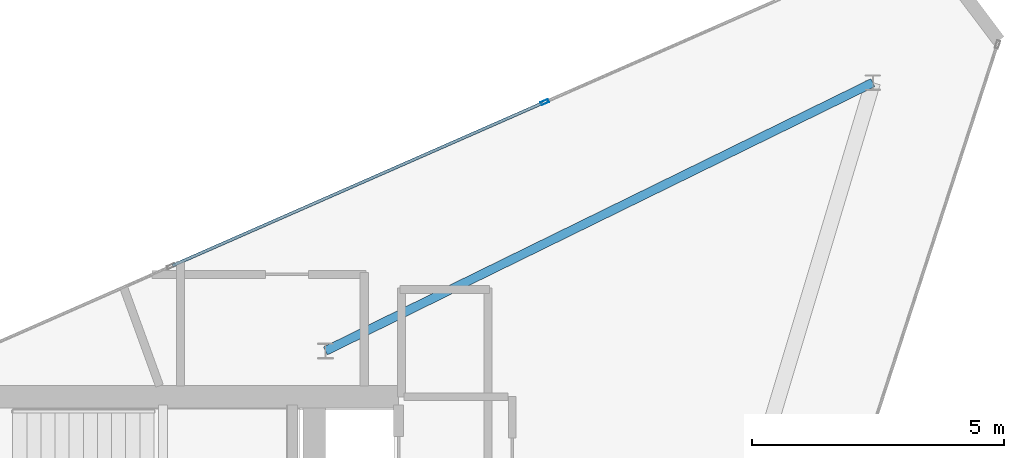
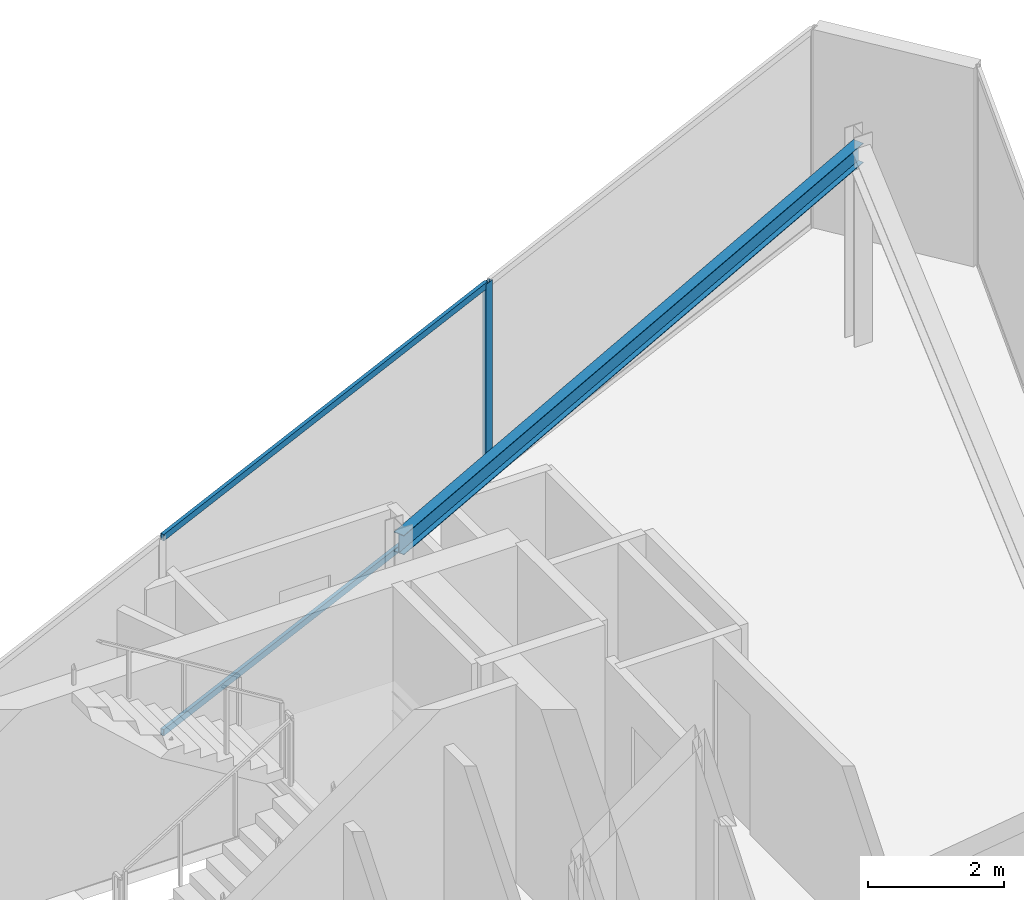
# One storey, part 10 of 14: 3 members, 1 beam, 1 element without a shape of its own.
"""IFC4 building model written with IfcOpenShell, lengths in metres."""

from ifc_helpers import new_model, si_unit, direction, frame, origin, origin_2d, place, context, subcontext, project, spatial, hollow_rectangle, i_section, extrude, material, layer, layer_set, material_profile, profile_set, type_object, element, aggregate, save


model = new_model("IFC4")

# Units and contexts
model_context = context("Model", 3, precision=1e-05, world=origin(), true_north=direction((0.0, 1.0)))
body_context = subcontext(model_context, "Body", "Model", "MODEL_VIEW")
ifc_project = project(units=[si_unit("LENGTHUNIT", "METRE"), si_unit("AREAUNIT", "SQUARE_METRE"), si_unit("VOLUMEUNIT", "CUBIC_METRE"), si_unit("PLANEANGLEUNIT", "RADIAN"), si_unit("MASSUNIT", "GRAM", prefix="KILO")], contexts=[model_context])

# Site, building, storey
site_placement = place(None, origin())
site = spatial("IfcSite", under=ifc_project, at=site_placement, CompositionType="ELEMENT")
building_placement = place(site_placement, origin())
building = spatial("IfcBuilding", under=site, at=building_placement, Name="Qianvela Tower", CompositionType="ELEMENT")
storey_placement = place(building_placement, frame((0.0, 0.0, 371.300048828125)))
storey = spatial("IfcBuildingStorey", under=building, at=storey_placement, Name="L96", CompositionType="ELEMENT", Elevation=371.300048828125)

# Beam
ifc_material_1 = material(Name="Steel Q355B", Category="steel")
ifc_material_profile_1 = material_profile(ifc_material_1, i_section(OverallWidth=0.175048828125, OverallDepth=0.35009765625, WebThickness=0.007080078125, FlangeThickness=0.010986328125, at=origin_2d()), Name="HN350x175x7x11")
ifc_profile_set_1 = profile_set([ifc_material_profile_1], Name="Steel Q355B")
beam_type = type_object("IfcBeamType", Name="BM-HN350-JOIST", PredefinedType="JOIST", material=ifc_profile_set_1)
beam_placement = place(storey_placement, frame((38.39990234375, 33.550048828125, 3.373046875), z_axis=(0.897947657455, 0.440102265924, 0.0), x_axis=(-0.440102265924, 0.897947657455, 0.0)))
element("IfcBeam", 1, at=beam_placement, inside=storey, type_object=beam_type, Name="L96 Crown Radial Floor Girder 1", PredefinedType="JOIST", context=body_context, shape_type="SweptSolid", body=[
    extrude(i_section(OverallWidth=0.175048828125, OverallDepth=0.35009765625, WebThickness=0.007080078125, FlangeThickness=0.010986328125, at=origin_2d()), origin(), (0.0, 0.0, 1.0), 12.0810546875),
])

# Curtain wall, members
ifc_material_2 = material(Name="Anodised Architectural Aluminium and Low-E Glass", Category="aluminium")
ifc_layer = layer(ifc_material_2, 0.159912109375)
ifc_layer_set = layer_set([ifc_layer], Name="Anodised Architectural Aluminium and Low-E Glass")
curtain_wall_type = type_object("IfcCurtainWallType", Name="CW-CROWN", PredefinedType="USERDEFINED", material=ifc_layer_set)
curtain_wall_placement = place(storey_placement, origin())
curtain_wall = element("IfcCurtainWall", 2, at=curtain_wall_placement, inside=storey, type_object=curtain_wall_type, Name="L96 CW-CROWN Curtain Wall 02", ObjectType="CURTAIN_WALL_SYSTEM", PredefinedType="USERDEFINED")
ifc_material_3 = material(Name="Anodised Architectural Aluminium 6063-T6", Category="aluminium")
ifc_material_profile_2 = material_profile(ifc_material_3, hollow_rectangle(XDim=0.06494140625, YDim=0.159912109375, WallThickness=0.0048828125, at=origin_2d()), Name="ALU-MULL-65x160")
ifc_profile_set_2 = profile_set([ifc_material_profile_2], Name="Anodised Architectural Aluminium 6063-T6")
member_type_1 = type_object("IfcMemberType", Name="CW-CROWN-MULL", PredefinedType="MULLION", material=ifc_profile_set_2)
member_1_placement = place(storey_placement, frame((42.74560546875, 38.481201171875, 0.0), z_axis=(0.0, 0.0, 1.0), x_axis=(0.402169726796, -0.915565131954, 0.0)))
member_1 = element("IfcMember", 3, at=member_1_placement, type_object=member_type_1, Name="CW-8 mullion 2", PredefinedType="MULLION", context=body_context, shape_type="SweptSolid", body=[
    extrude(hollow_rectangle(XDim=0.06494140625, YDim=0.159912109375, WallThickness=0.0048828125, at=origin_2d()), origin(), (0.0, 0.0, 1.0), 3.550048828125),
])
ifc_material_4 = material(Name="Anodised Architectural Aluminium 6063-T6", Category="aluminium")
ifc_material_profile_3 = material_profile(ifc_material_4, hollow_rectangle(XDim=0.06005859375, YDim=0.114990234375, WallThickness=0.00390625, at=origin_2d()), Name="ALU-TRAN-60x115")
ifc_profile_set_3 = profile_set([ifc_material_profile_3], Name="Anodised Architectural Aluminium 6063-T6")
member_type_2 = type_object("IfcMemberType", Name="CW-CROWN-TRAN", PredefinedType="USERDEFINED", material=ifc_profile_set_3)
member_2_placement = place(storey_placement, frame((42.7158203125, 38.46826171875, 0.030029296875), z_axis=(-0.915566985792, -0.402165506387, 0.0), x_axis=(0.402165506387, -0.915566985792, 0.0)))
member_2 = element("IfcMember", 4, at=member_2_placement, type_object=member_type_2, Name="CW-8 transom 2.1", ObjectType="TRANSOM", PredefinedType="USERDEFINED", context=body_context, shape_type="SweptSolid", body=[
    extrude(hollow_rectangle(XDim=0.06005859375, YDim=0.114990234375, WallThickness=0.00390625, at=origin_2d()), origin(), (0.0, 0.0, 1.0), 8.024169921875),
])
member_3_placement = place(storey_placement, frame((42.7158203125, 38.46826171875, 3.52001953125), z_axis=(-0.915566985792, -0.402165506387, 0.0), x_axis=(0.402165506387, -0.915566985792, 0.0)))
member_3 = element("IfcMember", 5, at=member_3_placement, type_object=member_type_2, Name="CW-8 transom 2.2", ObjectType="TRANSOM", PredefinedType="USERDEFINED", context=body_context, shape_type="SweptSolid", body=[
    extrude(hollow_rectangle(XDim=0.06005859375, YDim=0.114990234375, WallThickness=0.00390625, at=origin_2d()), origin(), (0.0, 0.0, 1.0), 8.024169921875),
])
aggregate(curtain_wall, [member_1, member_2, member_3])

save(model, "model.ifc")
